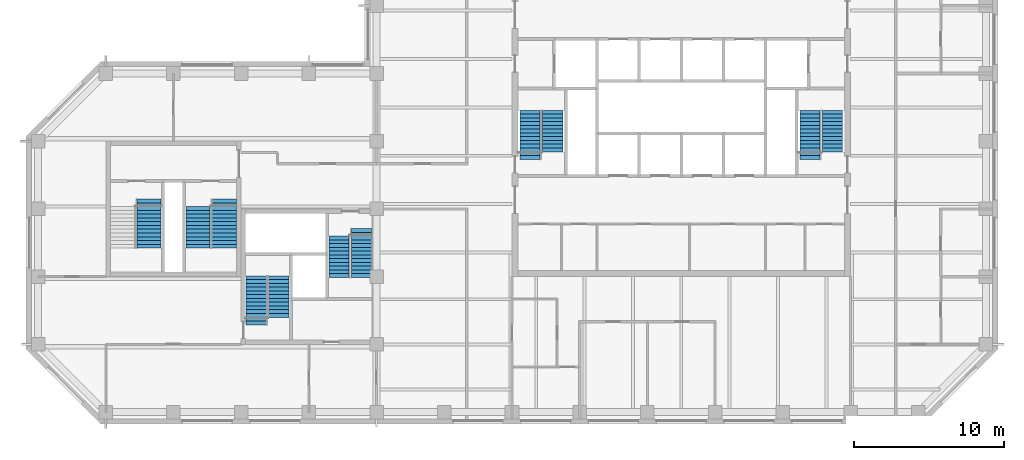
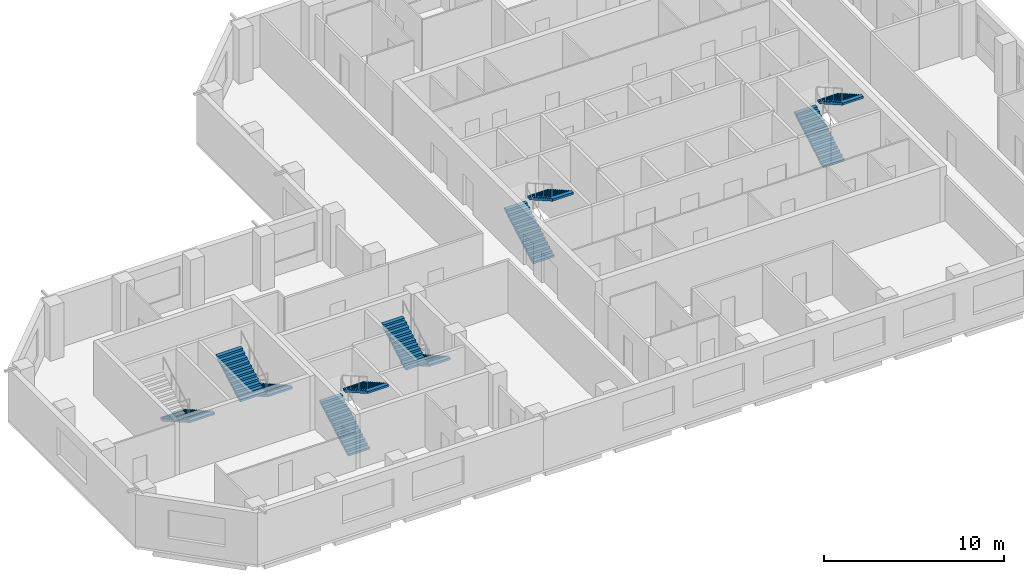
# One storey, part 8 of 9: 11 stair flights, 6 elements without a shape of their own.
"""IFC4 building model written with IfcOpenShell, lengths in metres."""

from ifc_helpers import new_model, si_unit, direction, frame, origin, place, context, subcontext, project, spatial, polyline, outline, extrude, material, type_object, element, aggregate, save


model = new_model("IFC4")

# Units and contexts
model_context = context("Model", 3, precision=1e-05, world=origin(), true_north=direction((0.0, 1.0)))
body_context = subcontext(model_context, "Body", "Model", "MODEL_VIEW")
ifc_project = project(units=[si_unit("LENGTHUNIT", "METRE"), si_unit("AREAUNIT", "SQUARE_METRE"), si_unit("VOLUMEUNIT", "CUBIC_METRE"), si_unit("PLANEANGLEUNIT", "RADIAN"), si_unit("MASSUNIT", "GRAM", prefix="KILO")], contexts=[model_context])

# Site, building, storey
site_placement = place(None, origin())
site = spatial("IfcSite", under=ifc_project, at=site_placement, CompositionType="ELEMENT")
building_placement = place(site_placement, origin())
building = spatial("IfcBuilding", under=site, at=building_placement, Name="Quoin Convention Tower", CompositionType="ELEMENT")
storey_placement = place(building_placement, frame((0.0, 0.0, 245.199951171875)))
storey = spatial("IfcBuildingStorey", under=building, at=storey_placement, Name="L64", CompositionType="ELEMENT", Elevation=245.199951171875)

# Stair, stair flights
ifc_material = material(Name="Concrete C40", Category="concrete")
stair_type_1 = type_object("IfcStairType", Name="Exit stair two-flight 1350", PredefinedType="HALF_TURN_STAIR", material=ifc_material)
stair_1_placement = place(storey_placement, origin())
stair_1 = element("IfcStair", 1, at=stair_1_placement, inside=storey, type_object=stair_type_1, Name="SD1 L64", PredefinedType="HALF_TURN_STAIR")
stair_flight_type_1 = type_object("IfcStairFlightType", Name="Stair flight 1350", PredefinedType="STRAIGHT", material=ifc_material)
stair_flight_1_placement = place(storey_placement, frame((46.199951171875, 57.300048828125, 0.0), z_axis=(0.0, 0.0, 1.0), x_axis=(0.0, 1.0, 0.0)))
stair_flight_1 = element("IfcStairFlight", 2, at=stair_flight_1_placement, type_object=stair_flight_type_1, Name="ST1 flight 1", NumberOfRisers=14, NumberOfTreads=13, PredefinedType="STRAIGHT", RiserHeight=0.142307692, TreadLength=0.25, context=body_context, shape_type="SweptSolid", body=[
    extrude(outline(polyline([(0.0, 0.0), (0.0, 0.142333984375), (0.25, 0.142333984375), (0.25, 0.28466796875), (0.5, 0.28466796875), (0.5, 0.427001953125), (0.75, 0.427001953125), (0.75, 0.5693359375), (1.0, 0.5693359375), (1.0, 0.71142578125), (1.25, 0.71142578125), (1.25, 0.853759765625), (1.5, 0.853759765625), (1.5, 0.99609375), (1.75, 0.99609375), (1.75, 1.138427734375), (2.0, 1.138427734375), (2.0, 1.28076171875), (2.25, 1.28076171875), (2.25, 1.423095703125), (2.5, 1.423095703125), (2.5, 1.5654296875), (2.75, 1.5654296875), (2.75, 1.707763671875), (3.0, 1.707763671875), (3.0, 1.85009765625), (3.25, 1.85009765625), (3.25, 1.9921875), (3.25, 1.711669921875), (0.242919921875, 0.0), (0.0, 0.0)])), frame((0.0, 0.675048828125, 0.0), z_axis=(0.0, -1.0, 0.0), x_axis=(1.0, 0.0, 0.0)), (0.0, 0.0, 1.0), 1.35009765625),
])
stair_flight_2_placement = place(storey_placement, frame((47.699951171875, 60.550048828125, 1.992431640625), z_axis=(0.0, 0.0, 1.0), x_axis=(0.0, -1.0, 0.0)))
stair_flight_2 = element("IfcStairFlight", 3, at=stair_flight_2_placement, type_object=stair_flight_type_1, Name="ST1 flight 2", NumberOfRisers=12, NumberOfTreads=11, PredefinedType="STRAIGHT", RiserHeight=0.142307692, TreadLength=0.25, context=body_context, shape_type="SweptSolid", body=[
    extrude(outline(polyline([(0.0, 0.0), (0.0, 0.142333984375), (0.25, 0.142333984375), (0.25, 0.28466796875), (0.5, 0.28466796875), (0.5, 0.427001953125), (0.75, 0.427001953125), (0.75, 0.5693359375), (1.0, 0.5693359375), (1.0, 0.71142578125), (1.25, 0.71142578125), (1.25, 0.853759765625), (1.5, 0.853759765625), (1.5, 0.99609375), (1.75, 0.99609375), (1.75, 1.138427734375), (2.0, 1.138427734375), (2.0, 1.28076171875), (2.25, 1.28076171875), (2.25, 1.423095703125), (2.5, 1.423095703125), (2.5, 1.5654296875), (2.75, 1.5654296875), (2.75, 1.707763671875), (2.75, 1.42724609375), (0.242919921875, 0.0), (0.0, 0.0)])), frame((0.0, 0.675048828125, 0.0), z_axis=(0.0, -1.0, 0.0), x_axis=(1.0, 0.0, 0.0)), (0.0, 0.0, 1.0), 1.35009765625),
])
aggregate(stair_1, [stair_flight_1, stair_flight_2])

stair_2_placement = place(storey_placement, origin())
stair_2 = element("IfcStair", 4, at=stair_2_placement, inside=storey, type_object=stair_type_1, Name="SD2 L64", PredefinedType="HALF_TURN_STAIR")
stair_flight_3_placement = place(storey_placement, frame((64.800048828125, 57.300048828125, 0.0), z_axis=(0.0, 0.0, 1.0), x_axis=(0.0, 1.0, 0.0)))
stair_flight_3 = element("IfcStairFlight", 5, at=stair_flight_3_placement, type_object=stair_flight_type_1, Name="ST2 flight 1", NumberOfRisers=14, NumberOfTreads=13, PredefinedType="STRAIGHT", RiserHeight=0.142307692, TreadLength=0.25, context=body_context, shape_type="SweptSolid", body=[
    extrude(outline(polyline([(0.0, 0.0), (0.0, 0.142333984375), (0.25, 0.142333984375), (0.25, 0.28466796875), (0.5, 0.28466796875), (0.5, 0.427001953125), (0.75, 0.427001953125), (0.75, 0.5693359375), (1.0, 0.5693359375), (1.0, 0.71142578125), (1.25, 0.71142578125), (1.25, 0.853759765625), (1.5, 0.853759765625), (1.5, 0.99609375), (1.75, 0.99609375), (1.75, 1.138427734375), (2.0, 1.138427734375), (2.0, 1.28076171875), (2.25, 1.28076171875), (2.25, 1.423095703125), (2.5, 1.423095703125), (2.5, 1.5654296875), (2.75, 1.5654296875), (2.75, 1.707763671875), (3.0, 1.707763671875), (3.0, 1.85009765625), (3.25, 1.85009765625), (3.25, 1.9921875), (3.25, 1.711669921875), (0.242919921875, 0.0), (0.0, 0.0)])), frame((0.0, 0.675048828125, 0.0), z_axis=(0.0, -1.0, 0.0), x_axis=(1.0, 0.0, 0.0)), (0.0, 0.0, 1.0), 1.35009765625),
])
stair_flight_4_placement = place(storey_placement, frame((66.300048828125, 60.550048828125, 1.992431640625), z_axis=(0.0, 0.0, 1.0), x_axis=(0.0, -1.0, 0.0)))
stair_flight_4 = element("IfcStairFlight", 6, at=stair_flight_4_placement, type_object=stair_flight_type_1, Name="ST2 flight 2", NumberOfRisers=12, NumberOfTreads=11, PredefinedType="STRAIGHT", RiserHeight=0.142307692, TreadLength=0.25, context=body_context, shape_type="SweptSolid", body=[
    extrude(outline(polyline([(0.0, 0.0), (0.0, 0.142333984375), (0.25, 0.142333984375), (0.25, 0.28466796875), (0.5, 0.28466796875), (0.5, 0.427001953125), (0.75, 0.427001953125), (0.75, 0.5693359375), (1.0, 0.5693359375), (1.0, 0.71142578125), (1.25, 0.71142578125), (1.25, 0.853759765625), (1.5, 0.853759765625), (1.5, 0.99609375), (1.75, 0.99609375), (1.75, 1.138427734375), (2.0, 1.138427734375), (2.0, 1.28076171875), (2.25, 1.28076171875), (2.25, 1.423095703125), (2.5, 1.423095703125), (2.5, 1.5654296875), (2.75, 1.5654296875), (2.75, 1.707763671875), (2.75, 1.42724609375), (0.242919921875, 0.0), (0.0, 0.0)])), frame((0.0, 0.675048828125, 0.0), z_axis=(0.0, -1.0, 0.0), x_axis=(1.0, 0.0, 0.0)), (0.0, 0.0, 1.0), 1.35009765625),
])
aggregate(stair_2, [stair_flight_3, stair_flight_4])

stair_3_placement = place(storey_placement, origin())
stair_3 = element("IfcStair", 7, at=stair_3_placement, inside=storey, type_object=stair_type_1, Name="SD3 L64", PredefinedType="HALF_TURN_STAIR")
stair_flight_5_placement = place(storey_placement, frame((28.0, 46.300048828125, 0.0), z_axis=(0.0, 0.0, 1.0), x_axis=(0.0, 1.0, 0.0)))
stair_flight_5 = element("IfcStairFlight", 8, at=stair_flight_5_placement, type_object=stair_flight_type_1, Name="ST3 flight 1", NumberOfRisers=14, NumberOfTreads=13, PredefinedType="STRAIGHT", RiserHeight=0.142307692, TreadLength=0.25, context=body_context, shape_type="SweptSolid", body=[
    extrude(outline(polyline([(0.0, 0.0), (0.0, 0.142333984375), (0.25, 0.142333984375), (0.25, 0.28466796875), (0.5, 0.28466796875), (0.5, 0.427001953125), (0.75, 0.427001953125), (0.75, 0.5693359375), (1.0, 0.5693359375), (1.0, 0.71142578125), (1.25, 0.71142578125), (1.25, 0.853759765625), (1.5, 0.853759765625), (1.5, 0.99609375), (1.75, 0.99609375), (1.75, 1.138427734375), (2.0, 1.138427734375), (2.0, 1.28076171875), (2.25, 1.28076171875), (2.25, 1.423095703125), (2.5, 1.423095703125), (2.5, 1.5654296875), (2.75, 1.5654296875), (2.75, 1.707763671875), (3.0, 1.707763671875), (3.0, 1.85009765625), (3.25, 1.85009765625), (3.25, 1.9921875), (3.25, 1.711669921875), (0.242919921875, 0.0), (0.0, 0.0)])), frame((0.0, 0.675048828125, 0.0), z_axis=(0.0, -1.0, 0.0), x_axis=(1.0, 0.0, 0.0)), (0.0, 0.0, 1.0), 1.35009765625),
])
stair_flight_6_placement = place(storey_placement, frame((29.5, 49.550048828125, 1.992431640625), z_axis=(0.0, 0.0, 1.0), x_axis=(0.0, -1.0, 0.0)))
stair_flight_6 = element("IfcStairFlight", 9, at=stair_flight_6_placement, type_object=stair_flight_type_1, Name="ST3 flight 2", NumberOfRisers=12, NumberOfTreads=11, PredefinedType="STRAIGHT", RiserHeight=0.142307692, TreadLength=0.25, context=body_context, shape_type="SweptSolid", body=[
    extrude(outline(polyline([(0.0, 0.0), (0.0, 0.142333984375), (0.25, 0.142333984375), (0.25, 0.28466796875), (0.5, 0.28466796875), (0.5, 0.427001953125), (0.75, 0.427001953125), (0.75, 0.5693359375), (1.0, 0.5693359375), (1.0, 0.71142578125), (1.25, 0.71142578125), (1.25, 0.853759765625), (1.5, 0.853759765625), (1.5, 0.99609375), (1.75, 0.99609375), (1.75, 1.138427734375), (2.0, 1.138427734375), (2.0, 1.28076171875), (2.25, 1.28076171875), (2.25, 1.423095703125), (2.5, 1.423095703125), (2.5, 1.5654296875), (2.75, 1.5654296875), (2.75, 1.707763671875), (2.75, 1.42724609375), (0.242919921875, 0.0), (0.0, 0.0)])), frame((0.0, 0.675048828125, 0.0), z_axis=(0.0, -1.0, 0.0), x_axis=(1.0, 0.0, 0.0)), (0.0, 0.0, 1.0), 1.35009765625),
])
aggregate(stair_3, [stair_flight_5, stair_flight_6])

stair_4_placement = place(storey_placement, origin())
stair_4 = element("IfcStair", 10, at=stair_4_placement, inside=storey, type_object=stair_type_1, Name="SD4 L64", PredefinedType="HALF_TURN_STAIR")
stair_flight_7_placement = place(storey_placement, frame((35.0, 52.699951171875, 0.0), z_axis=(0.0, 0.0, 1.0), x_axis=(0.0, -1.0, 0.0)))
stair_flight_7 = element("IfcStairFlight", 11, at=stair_flight_7_placement, type_object=stair_flight_type_1, Name="ST4 flight 1", NumberOfRisers=14, NumberOfTreads=13, PredefinedType="STRAIGHT", RiserHeight=0.142307692, TreadLength=0.25, context=body_context, shape_type="SweptSolid", body=[
    extrude(outline(polyline([(0.0, 0.0), (0.0, 0.142333984375), (0.25, 0.142333984375), (0.25, 0.28466796875), (0.5, 0.28466796875), (0.5, 0.427001953125), (0.75, 0.427001953125), (0.75, 0.5693359375), (1.0, 0.5693359375), (1.0, 0.71142578125), (1.25, 0.71142578125), (1.25, 0.853759765625), (1.5, 0.853759765625), (1.5, 0.99609375), (1.75, 0.99609375), (1.75, 1.138427734375), (2.0, 1.138427734375), (2.0, 1.28076171875), (2.25, 1.28076171875), (2.25, 1.423095703125), (2.5, 1.423095703125), (2.5, 1.5654296875), (2.75, 1.5654296875), (2.75, 1.707763671875), (3.0, 1.707763671875), (3.0, 1.85009765625), (3.25, 1.85009765625), (3.25, 1.9921875), (3.25, 1.711669921875), (0.242919921875, 0.0), (0.0, 0.0)])), frame((0.0, 0.675048828125, 0.0), z_axis=(0.0, -1.0, 0.0), x_axis=(1.0, 0.0, 0.0)), (0.0, 0.0, 1.0), 1.35009765625),
])
stair_flight_8_placement = place(storey_placement, frame((33.5, 49.449951171875, 1.992431640625), z_axis=(0.0, 0.0, 1.0), x_axis=(0.0, 1.0, 0.0)))
stair_flight_8 = element("IfcStairFlight", 12, at=stair_flight_8_placement, type_object=stair_flight_type_1, Name="ST4 flight 2", NumberOfRisers=12, NumberOfTreads=11, PredefinedType="STRAIGHT", RiserHeight=0.142307692, TreadLength=0.25, context=body_context, shape_type="SweptSolid", body=[
    extrude(outline(polyline([(0.0, 0.0), (0.0, 0.142333984375), (0.25, 0.142333984375), (0.25, 0.28466796875), (0.5, 0.28466796875), (0.5, 0.427001953125), (0.75, 0.427001953125), (0.75, 0.5693359375), (1.0, 0.5693359375), (1.0, 0.71142578125), (1.25, 0.71142578125), (1.25, 0.853759765625), (1.5, 0.853759765625), (1.5, 0.99609375), (1.75, 0.99609375), (1.75, 1.138427734375), (2.0, 1.138427734375), (2.0, 1.28076171875), (2.25, 1.28076171875), (2.25, 1.423095703125), (2.5, 1.423095703125), (2.5, 1.5654296875), (2.75, 1.5654296875), (2.75, 1.707763671875), (2.75, 1.42724609375), (0.242919921875, 0.0), (0.0, 0.0)])), frame((0.0, 0.675048828125, 0.0), z_axis=(0.0, -1.0, 0.0), x_axis=(1.0, 0.0, 0.0)), (0.0, 0.0, 1.0), 1.35009765625),
])
aggregate(stair_4, [stair_flight_7, stair_flight_8])

# Stair, stair flight
stair_type_2 = type_object("IfcStairType", Name="Exit stair two-flight 1600", PredefinedType="HALF_TURN_STAIR", material=ifc_material)
stair_5_placement = place(storey_placement, origin())
stair_5 = element("IfcStair", 13, at=stair_5_placement, inside=storey, type_object=stair_type_2, Name="SD11 L64", PredefinedType="HALF_TURN_STAIR")
stair_flight_type_2 = type_object("IfcStairFlightType", Name="Stair flight 1600", PredefinedType="STRAIGHT", material=ifc_material)
stair_flight_9_placement = place(storey_placement, frame((20.875, 54.64990234375, 0.0), z_axis=(0.0, 0.0, 1.0), x_axis=(0.0, -1.0, 0.0)))
stair_flight_9 = element("IfcStairFlight", 14, at=stair_flight_9_placement, type_object=stair_flight_type_2, Name="ST11 flight 1", NumberOfRisers=14, NumberOfTreads=13, PredefinedType="STRAIGHT", RiserHeight=0.142307692, TreadLength=0.25, context=body_context, shape_type="SweptSolid", body=[
    extrude(outline(polyline([(0.0, 0.0), (0.0, 0.142333984375), (0.25, 0.142333984375), (0.25, 0.28466796875), (0.5, 0.28466796875), (0.5, 0.427001953125), (0.75, 0.427001953125), (0.75, 0.5693359375), (1.0, 0.5693359375), (1.0, 0.71142578125), (1.25, 0.71142578125), (1.25, 0.853759765625), (1.5, 0.853759765625), (1.5, 0.99609375), (1.75, 0.99609375), (1.75, 1.138427734375), (2.0, 1.138427734375), (2.0, 1.28076171875), (2.25, 1.28076171875), (2.25, 1.423095703125), (2.5, 1.423095703125), (2.5, 1.5654296875), (2.75, 1.5654296875), (2.75, 1.707763671875), (3.0, 1.707763671875), (3.0, 1.85009765625), (3.25, 1.85009765625), (3.25, 1.9921875), (3.25, 1.711669921875), (0.242919921875, 0.0), (0.0, 0.0)])), frame((0.0, 0.800048828125, 0.0), z_axis=(0.0, -1.0, 0.0), x_axis=(1.0, 0.0, 0.0)), (0.0, 0.0, 1.0), 1.60009765625),
])
aggregate(stair_5, [stair_flight_9])

# Stair, stair flights
stair_6_placement = place(storey_placement, origin())
stair_6 = element("IfcStair", 15, at=stair_6_placement, inside=storey, type_object=stair_type_2, Name="SD12 L64", PredefinedType="HALF_TURN_STAIR")
stair_flight_10_placement = place(storey_placement, frame((25.875, 54.64990234375, 0.0), z_axis=(0.0, 0.0, 1.0), x_axis=(0.0, -1.0, 0.0)))
stair_flight_10 = element("IfcStairFlight", 16, at=stair_flight_10_placement, type_object=stair_flight_type_2, Name="ST12 flight 1", NumberOfRisers=14, NumberOfTreads=13, PredefinedType="STRAIGHT", RiserHeight=0.142307692, TreadLength=0.25, context=body_context, shape_type="SweptSolid", body=[
    extrude(outline(polyline([(0.0, 0.0), (0.0, 0.142333984375), (0.25, 0.142333984375), (0.25, 0.28466796875), (0.5, 0.28466796875), (0.5, 0.427001953125), (0.75, 0.427001953125), (0.75, 0.5693359375), (1.0, 0.5693359375), (1.0, 0.71142578125), (1.25, 0.71142578125), (1.25, 0.853759765625), (1.5, 0.853759765625), (1.5, 0.99609375), (1.75, 0.99609375), (1.75, 1.138427734375), (2.0, 1.138427734375), (2.0, 1.28076171875), (2.25, 1.28076171875), (2.25, 1.423095703125), (2.5, 1.423095703125), (2.5, 1.5654296875), (2.75, 1.5654296875), (2.75, 1.707763671875), (3.0, 1.707763671875), (3.0, 1.85009765625), (3.25, 1.85009765625), (3.25, 1.9921875), (3.25, 1.711669921875), (0.242919921875, 0.0), (0.0, 0.0)])), frame((0.0, 0.800048828125, 0.0), z_axis=(0.0, -1.0, 0.0), x_axis=(1.0, 0.0, 0.0)), (0.0, 0.0, 1.0), 1.60009765625),
])
stair_flight_11_placement = place(storey_placement, frame((24.125, 51.39990234375, 1.992431640625), z_axis=(0.0, 0.0, 1.0), x_axis=(0.0, 1.0, 0.0)))
stair_flight_11 = element("IfcStairFlight", 17, at=stair_flight_11_placement, type_object=stair_flight_type_2, Name="ST12 flight 2", NumberOfRisers=12, NumberOfTreads=11, PredefinedType="STRAIGHT", RiserHeight=0.142307692, TreadLength=0.25, context=body_context, shape_type="SweptSolid", body=[
    extrude(outline(polyline([(0.0, 0.0), (0.0, 0.142333984375), (0.25, 0.142333984375), (0.25, 0.28466796875), (0.5, 0.28466796875), (0.5, 0.427001953125), (0.75, 0.427001953125), (0.75, 0.5693359375), (1.0, 0.5693359375), (1.0, 0.71142578125), (1.25, 0.71142578125), (1.25, 0.853759765625), (1.5, 0.853759765625), (1.5, 0.99609375), (1.75, 0.99609375), (1.75, 1.138427734375), (2.0, 1.138427734375), (2.0, 1.28076171875), (2.25, 1.28076171875), (2.25, 1.423095703125), (2.5, 1.423095703125), (2.5, 1.5654296875), (2.75, 1.5654296875), (2.75, 1.707763671875), (2.75, 1.42724609375), (0.242919921875, 0.0), (0.0, 0.0)])), frame((0.0, 0.800048828125, 0.0), z_axis=(0.0, -1.0, 0.0), x_axis=(1.0, 0.0, 0.0)), (0.0, 0.0, 1.0), 1.60009765625),
])
aggregate(stair_6, [stair_flight_10, stair_flight_11])

save(model, "model.ifc")
